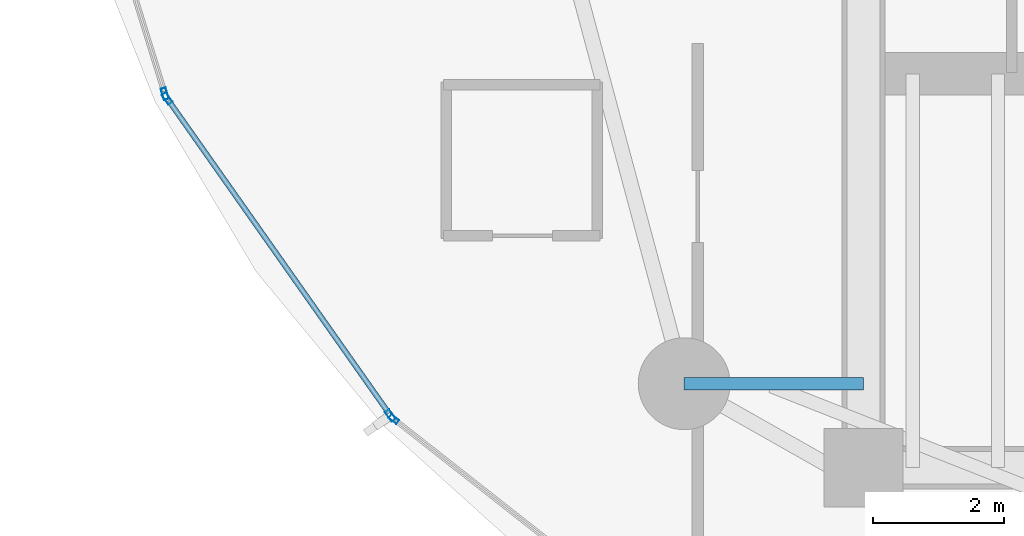
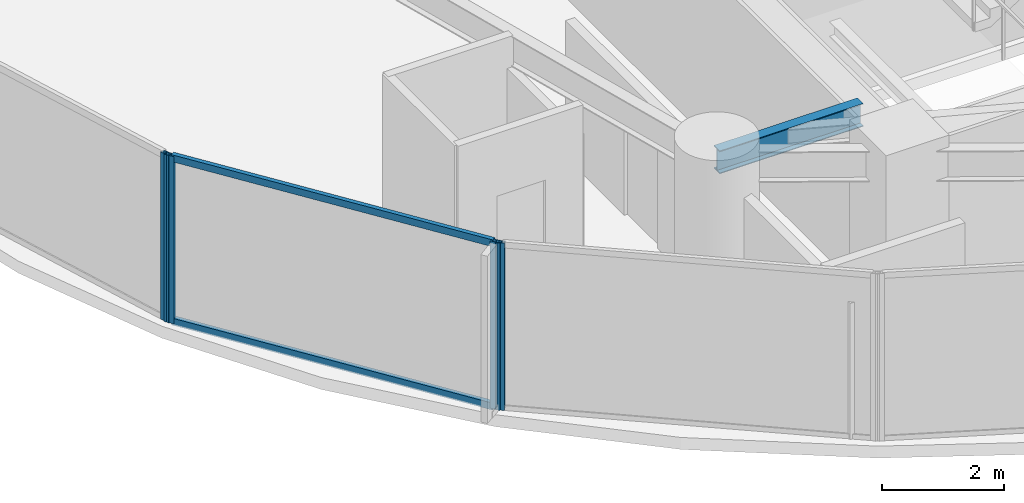
# One storey, part 3 of 31: 6 members, 1 beam, 3 elements without a shape of their own.
"""IFC4 building model written with IfcOpenShell, lengths in metres."""

from ifc_helpers import new_model, si_unit, direction, frame, origin, origin_2d, place, context, subcontext, project, spatial, hollow_rectangle, i_section, extrude, material, layer, layer_set, material_profile, profile_set, type_object, element, aggregate, save


model = new_model("IFC4")

# Units and contexts
model_context = context("Model", 3, precision=1e-05, world=origin(), true_north=direction((0.0, 1.0)))
body_context = subcontext(model_context, "Body", "Model", "MODEL_VIEW")
ifc_project = project(units=[si_unit("LENGTHUNIT", "METRE"), si_unit("AREAUNIT", "SQUARE_METRE"), si_unit("VOLUMEUNIT", "CUBIC_METRE"), si_unit("PLANEANGLEUNIT", "RADIAN"), si_unit("MASSUNIT", "GRAM", prefix="KILO")], contexts=[model_context])

# Site, building, storey
site_placement = place(None, origin())
site = spatial("IfcSite", under=ifc_project, at=site_placement, CompositionType="ELEMENT")
building_placement = place(site_placement, origin())
building = spatial("IfcBuilding", under=site, at=building_placement, Name="Kazevale Care Tower and Concert Hall", CompositionType="ELEMENT")
storey_placement = place(building_placement, frame((0.0, 0.0, 60.0)))
storey = spatial("IfcBuildingStorey", under=building, at=storey_placement, Name="L15", CompositionType="ELEMENT", Elevation=60.0)

# Curtain wall, members
ifc_material_1 = material(Name="Aluminium 6063-T6 and Low-E Glass", Category="aluminium")
ifc_layer_1 = layer(ifc_material_1, 0.179931640625)
ifc_layer_set_1 = layer_set([ifc_layer_1], Name="Aluminium 6063-T6 and Low-E Glass")
curtain_wall_type_1 = type_object("IfcCurtainWallType", Name="Waist & Upper Residential Curtain Wall CW-4", PredefinedType="NOTDEFINED", material=ifc_layer_set_1)
curtain_wall_1_placement = place(storey_placement, origin())
curtain_wall_1 = element("IfcCurtainWall", 1, at=curtain_wall_1_placement, inside=storey, type_object=curtain_wall_type_1, Name="cw:L15:f11", PredefinedType="NOTDEFINED")
ifc_material_2 = material(Name="Aluminium 6063-T6", Category="aluminium")
ifc_material_profile_1 = material_profile(ifc_material_2, hollow_rectangle(XDim=0.080078125, YDim=0.179931640625, WallThickness=0.0048828125, at=origin_2d()), Name="ALU80x180x5")
ifc_profile_set_1 = profile_set([ifc_material_profile_1], Name="Aluminium 6063-T6")
member_type_1 = type_object("IfcMemberType", Name="CW-4 Mullion ALU80x180x5", PredefinedType="MULLION", material=ifc_profile_set_1)
member_1_placement = place(storey_placement, frame((14.794921875, 24.396728515625, 0.0), z_axis=(0.0, 0.0, 1.0), x_axis=(-0.817564654583, -0.575836813322, 0.0)))
member_1 = element("IfcMember", 2, at=member_1_placement, type_object=member_type_1, Name="CW-4 mullion 1", PredefinedType="MULLION", context=body_context, shape_type="SweptSolid", body=[
    extrude(hollow_rectangle(XDim=0.080078125, YDim=0.179931640625, WallThickness=0.0048828125, at=origin_2d()), origin(), (0.0, 0.0, 1.0), 3.360107421875),
])
member_2_placement = place(storey_placement, frame((11.39404296875, 29.225341796875, 0.0), z_axis=(0.0, 0.0, 1.0), x_axis=(-0.817564654583, -0.575836813322, 0.0)))
member_2 = element("IfcMember", 3, at=member_2_placement, type_object=member_type_1, Name="CW-4 mullion 2", PredefinedType="MULLION", context=body_context, shape_type="SweptSolid", body=[
    extrude(hollow_rectangle(XDim=0.080078125, YDim=0.179931640625, WallThickness=0.0048828125, at=origin_2d()), origin(), (0.0, 0.0, 1.0), 3.360107421875),
])

# Curtain wall, member
curtain_wall_2_placement = place(storey_placement, origin())
curtain_wall_2 = element("IfcCurtainWall", 4, at=curtain_wall_2_placement, inside=storey, type_object=curtain_wall_type_1, Name="cw:L15:f12", PredefinedType="NOTDEFINED")
member_3_placement = place(storey_placement, frame((11.359130859375, 29.296142578125, 0.0), z_axis=(0.0, 0.0, 1.0), x_axis=(-0.955157326175, -0.296098771112, 0.0)))
member_3 = element("IfcMember", 5, at=member_3_placement, type_object=member_type_1, Name="CW-4 mullion 1", PredefinedType="MULLION", context=body_context, shape_type="SweptSolid", body=[
    extrude(hollow_rectangle(XDim=0.080078125, YDim=0.179931640625, WallThickness=0.0048828125, at=origin_2d()), origin(), (0.0, 0.0, 1.0), 3.360107421875),
])
aggregate(curtain_wall_2, [member_3])

# Member
ifc_material_profile_2 = material_profile(ifc_material_2, hollow_rectangle(XDim=0.080078125, YDim=0.139892578125, WallThickness=0.00390625, at=origin_2d()), Name="ALU80x140x4")
ifc_profile_set_2 = profile_set([ifc_material_profile_2], Name="Aluminium 6063-T6")
member_type_2 = type_object("IfcMemberType", Name="CW-4 Transom ALU80x140x4", PredefinedType="USERDEFINED", material=ifc_profile_set_2)
member_4_placement = place(storey_placement, frame((14.77197265625, 24.429443359375, 0.0400390625), z_axis=(-0.575850423039, 0.817555068657, 0.0), x_axis=(-0.817555068657, -0.575850423039, 0.0)))
member_4 = element("IfcMember", 6, at=member_4_placement, type_object=member_type_2, Name="CW-4 transom 1.1", ObjectType="TRANSOM", PredefinedType="USERDEFINED", context=body_context, shape_type="SweptSolid", body=[
    extrude(hollow_rectangle(XDim=0.080078125, YDim=0.139892578125, WallThickness=0.00390625, at=origin_2d()), origin(), (0.0, 0.0, 1.0), 5.826171875),
])

member_5_placement = place(storey_placement, frame((14.77197265625, 24.429443359375, 3.320068359375), z_axis=(-0.575850423039, 0.817555068657, 0.0), x_axis=(-0.817555068657, -0.575850423039, 0.0)))
member_5 = element("IfcMember", 7, at=member_5_placement, type_object=member_type_2, Name="CW-4 transom 1.2", ObjectType="TRANSOM", PredefinedType="USERDEFINED", context=body_context, shape_type="SweptSolid", body=[
    extrude(hollow_rectangle(XDim=0.080078125, YDim=0.139892578125, WallThickness=0.00390625, at=origin_2d()), origin(), (0.0, 0.0, 1.0), 5.826171875),
])

aggregate(curtain_wall_1, [member_1, member_2, member_4, member_5])

# Curtain wall, member
ifc_layer_2 = layer(ifc_material_1, 0.179931640625)
ifc_layer_set_2 = layer_set([ifc_layer_2], Name="Aluminium 6063-T6 and Low-E Glass")
curtain_wall_type_2 = type_object("IfcCurtainWallType", Name="Sheltered Concave Balcony Curtain Wall CW-5", PredefinedType="NOTDEFINED", material=ifc_layer_set_2)
curtain_wall_3_placement = place(storey_placement, origin())
curtain_wall_3 = element("IfcCurtainWall", 8, at=curtain_wall_3_placement, inside=storey, type_object=curtain_wall_type_2, Name="cw:L15:f10", PredefinedType="NOTDEFINED")
ifc_material_profile_3 = material_profile(ifc_material_2, hollow_rectangle(XDim=0.074951171875, YDim=0.14990234375, WallThickness=0.00390625, at=origin_2d()), Name="ALU75x150x4")
ifc_profile_set_3 = profile_set([ifc_material_profile_3], Name="Aluminium 6063-T6")
member_type_3 = type_object("IfcMemberType", Name="CW-5 Mullion ALU75x150x4", PredefinedType="MULLION", material=ifc_profile_set_3)
member_6_placement = place(storey_placement, frame((14.847412109375, 24.3408203125, 0.0), z_axis=(0.0, 0.0, 1.0), x_axis=(-0.617807548814, -0.78632934107, 0.0)))
member_6 = element("IfcMember", 9, at=member_6_placement, type_object=member_type_3, Name="CW-5 mullion 2", PredefinedType="MULLION", context=body_context, shape_type="SweptSolid", body=[
    extrude(hollow_rectangle(XDim=0.074951171875, YDim=0.14990234375, WallThickness=0.00390625, at=origin_2d()), origin(), (0.0, 0.0, 1.0), 3.360107421875),
])
aggregate(curtain_wall_3, [member_6])

# Beam
ifc_material_3 = material(Name="Steel ASTM A572 Gr 50", Category="steel")
ifc_material_profile_4 = material_profile(ifc_material_3, i_section(OverallWidth=0.19091796875, OverallDepth=0.4599609375, WebThickness=0.010009765625, FlangeThickness=0.01611328125, at=origin_2d()), Name="W460x82")
ifc_profile_set_4 = profile_set([ifc_material_profile_4], Name="Steel ASTM A572 Gr 50")
beam_type = type_object("IfcBeamType", Name="Radial Floor Beam W460x82", PredefinedType="BEAM", material=ifc_profile_set_4)
beam_placement = place(storey_placement, frame((22.0, 24.8798828125, 3.1298828125), z_axis=(-1.0, 0.0, 0.0), x_axis=(0.0, -1.0, 0.0)))
element("IfcBeam", 10, at=beam_placement, inside=storey, type_object=beam_type, Name="beam:L15:rad:10", PredefinedType="BEAM", context=body_context, shape_type="SweptSolid", body=[
    extrude(i_section(OverallWidth=0.19091796875, OverallDepth=0.4599609375, WebThickness=0.010009765625, FlangeThickness=0.01611328125, at=origin_2d()), origin(), (0.0, 0.0, 1.0), 2.72998046875),
])

save(model, "model.ifc")
